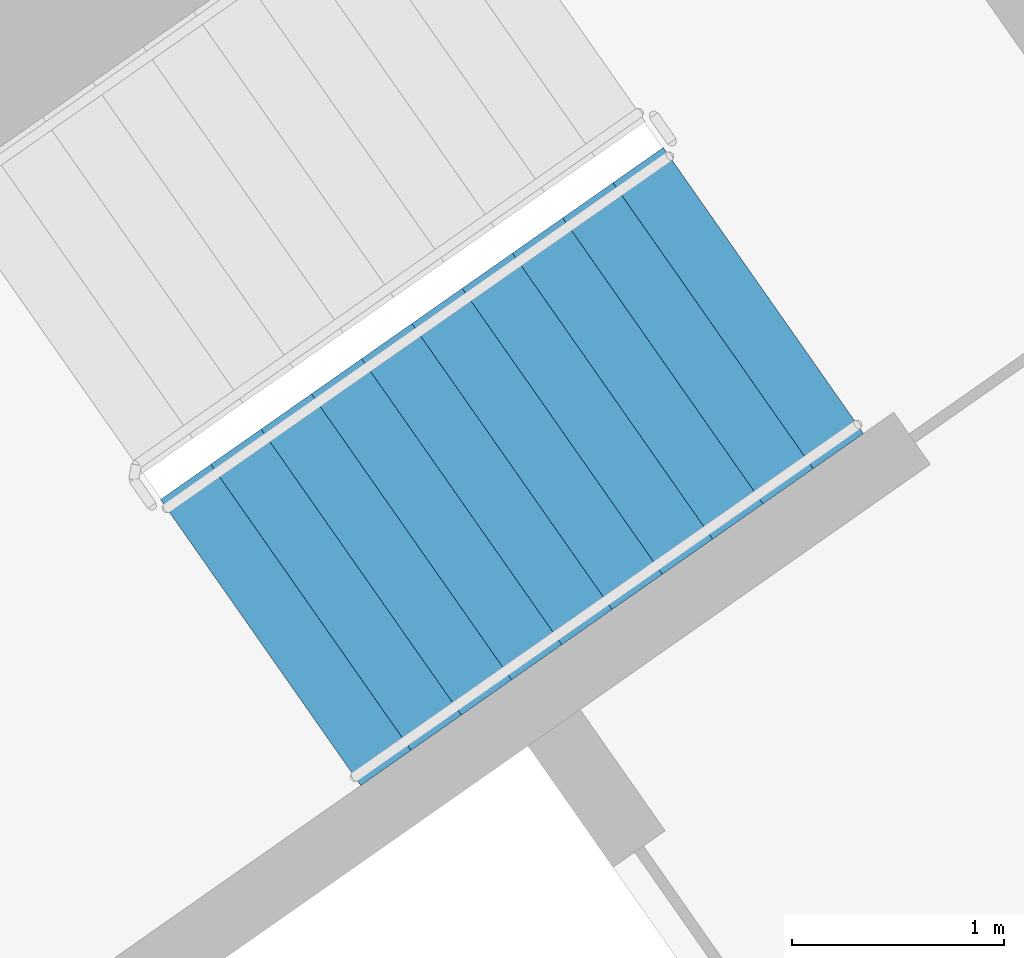
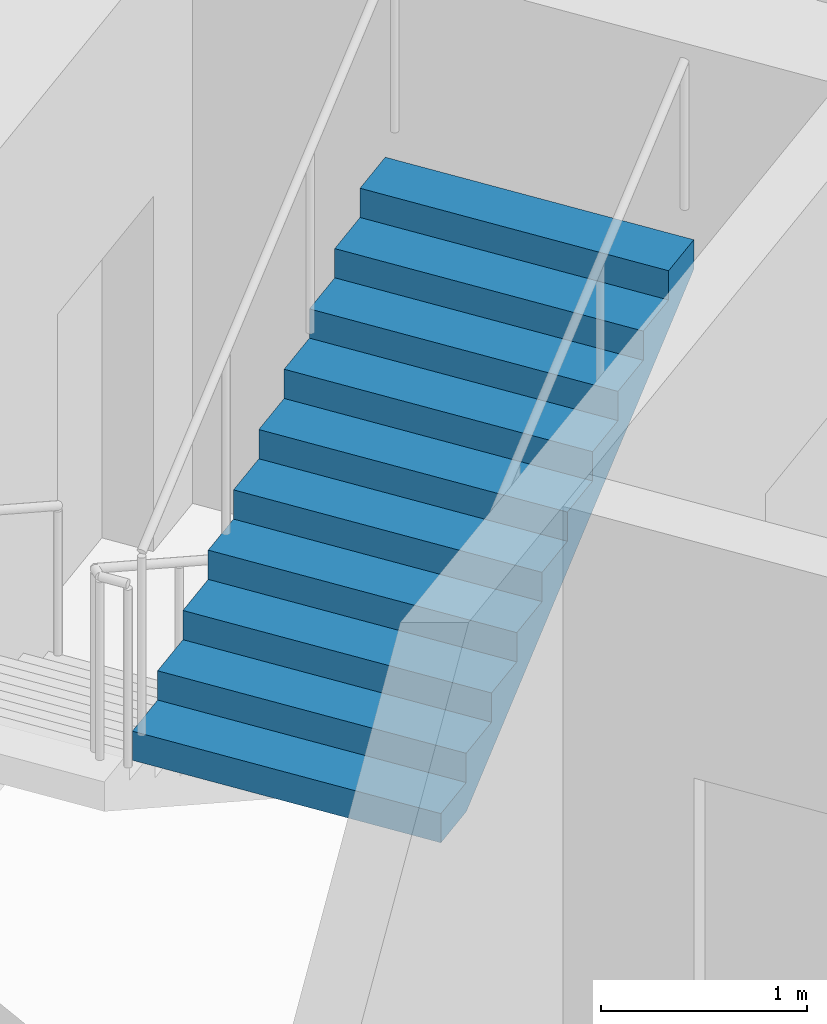
# One storey, part 16 of 27: 1 stair flight, 1 element without a shape of its own.
"""IFC4 building model written with IfcOpenShell, lengths in metres."""

from ifc_helpers import new_model, si_unit, direction, frame, origin, place, context, subcontext, project, spatial, faceted_brep, material, type_object, element, aggregate, save


model = new_model("IFC4")

# Units and contexts
model_context = context("Model", 3, precision=1e-05, world=origin(), true_north=direction((0.0, 1.0)))
body_context = subcontext(model_context, "Body", "Model", "MODEL_VIEW")
ifc_project = project(units=[si_unit("LENGTHUNIT", "METRE"), si_unit("AREAUNIT", "SQUARE_METRE"), si_unit("VOLUMEUNIT", "CUBIC_METRE"), si_unit("PLANEANGLEUNIT", "RADIAN"), si_unit("MASSUNIT", "GRAM", prefix="KILO")], contexts=[model_context])

# Site, building, storey
site_placement = place(None, origin())
site = spatial("IfcSite", under=ifc_project, at=site_placement, CompositionType="ELEMENT")
building_placement = place(site_placement, origin())
building = spatial("IfcBuilding", under=site, at=building_placement, Name="Qamariyya Broadcast Tower", CompositionType="ELEMENT")
storey_placement = place(building_placement, frame((0.0, 0.0, 175.89990234375)))
storey = spatial("IfcBuildingStorey", under=building, at=storey_placement, Name="L41", CompositionType="ELEMENT", Elevation=175.89990234375)

# Stair, stair flight
ifc_material = material(Name="Concrete C50/60", Category="concrete")
stair_type = type_object("IfcStairType", Name="Exit stair 22 risers of 173 mm", PredefinedType="HALF_TURN_STAIR", material=ifc_material)
stair_placement = place(storey_placement, origin())
stair = element("IfcStair", 1, at=stair_placement, inside=storey, type_object=stair_type, Name="L41 Stair E2", PredefinedType="HALF_TURN_STAIR")
stair_flight_type = type_object("IfcStairFlightType", Name="Exit stair flight 11 risers of 173 mm", PredefinedType="STRAIGHT", material=ifc_material)
stair_flight_placement = place(storey_placement, frame((39.215576171875, -50.822998046875, 1.900146484375), z_axis=(0.0, 0.0, 1.0), x_axis=(0.819152044289, 0.573576436351, 0.0)))
stair_flight = element("IfcStairFlight", 2, at=stair_flight_placement, type_object=stair_flight_type, Name="ST-E2 flight 2", NumberOfRisers=11, NumberOfTreads=10, PredefinedType="STRAIGHT", RiserHeight=0.172727273, TreadLength=0.29, context=body_context, shape_type="Brep", body=[
    faceted_brep([(0.0, 0.824951171875, 0.0), (0.0, 0.824951171875, 0.172607421875), (0.2900390625, 0.824951171875, 0.172607421875), (0.2900390625, 0.824951171875, 0.345458984375), (0.580078125, 0.824951171875, 0.345458984375), (0.580078125, 0.824951171875, 0.51806640625), (0.8701171875, 0.824951171875, 0.51806640625), (0.8701171875, 0.824951171875, 0.69091796875), (1.159912109375, 0.824951171875, 0.69091796875), (1.159912109375, 0.824951171875, 0.863525390625), (1.449951171875, 0.824951171875, 0.863525390625), (1.449951171875, 0.824951171875, 1.036376953125), (1.739990234375, 0.824951171875, 1.036376953125), (1.739990234375, 0.824951171875, 1.208984375), (2.030029296875, 0.824951171875, 1.208984375), (2.030029296875, 0.824951171875, 1.3818359375), (2.320068359375, 0.824951171875, 1.3818359375), (2.320068359375, 0.824951171875, 1.554443359375), (2.610107421875, 0.824951171875, 1.554443359375), (2.610107421875, 0.824951171875, 1.727294921875), (2.89990234375, 0.824951171875, 1.727294921875), (2.89990234375, 0.824951171875, 1.552734375), (0.29296875, 0.824951171875, 0.0), (0.29296875, -0.824951171875, 0.0), (2.89990234375, -0.824951171875, 1.552734375), (2.89990234375, -0.824951171875, 1.727294921875), (2.610107421875, -0.824951171875, 1.727294921875), (2.610107421875, -0.824951171875, 1.554443359375), (2.320068359375, -0.824951171875, 1.554443359375), (2.320068359375, -0.824951171875, 1.3818359375), (2.030029296875, -0.824951171875, 1.3818359375), (2.030029296875, -0.824951171875, 1.208984375), (1.739990234375, -0.824951171875, 1.208984375), (1.739990234375, -0.824951171875, 1.036376953125), (1.449951171875, -0.824951171875, 1.036376953125), (1.449951171875, -0.824951171875, 0.863525390625), (1.159912109375, -0.824951171875, 0.863525390625), (1.159912109375, -0.824951171875, 0.69091796875), (0.8701171875, -0.824951171875, 0.69091796875), (0.8701171875, -0.824951171875, 0.51806640625), (0.580078125, -0.824951171875, 0.51806640625), (0.580078125, -0.824951171875, 0.345458984375), (0.2900390625, -0.824951171875, 0.345458984375), (0.2900390625, -0.824951171875, 0.172607421875), (0.0, -0.824951171875, 0.172607421875), (0.0, -0.824951171875, 0.0), (0.0, 0.10009765625, 0.0), (0.0, 0.086669921875, 0.0), (0.0, 0.0732421875, 0.0), (0.0, 0.06005859375, 0.0), (0.0, 0.046630859375, 0.0), (0.0, 0.033447265625, 0.0), (0.0, 0.02001953125, 0.0), (0.0, 0.006591796875, 0.0), (0.0, -0.006591796875, 0.0), (0.0, -0.02001953125, 0.0), (0.0, -0.033447265625, 0.0), (0.0, -0.046630859375, 0.0), (0.0, -0.06005859375, 0.0), (0.0, -0.0732421875, 0.0), (0.0, -0.086669921875, 0.0), (0.0, -0.10009765625, 0.0), (0.0, -0.10009765625, 0.172607421875), (0.0, -0.086669921875, 0.172607421875), (0.0, -0.0732421875, 0.172607421875), (0.0, -0.06005859375, 0.172607421875), (0.0, -0.046630859375, 0.172607421875), (0.0, -0.033447265625, 0.172607421875), (0.0, -0.02001953125, 0.172607421875), (0.0, -0.006591796875, 0.172607421875), (0.0, 0.006591796875, 0.172607421875), (0.0, 0.02001953125, 0.172607421875), (0.0, 0.033447265625, 0.172607421875), (0.0, 0.046630859375, 0.172607421875), (0.0, 0.06005859375, 0.172607421875), (0.0, 0.0732421875, 0.172607421875), (0.0, 0.086669921875, 0.172607421875), (0.0, 0.10009765625, 0.172607421875), (0.2900390625, -0.10009765625, 0.172607421875), (0.2900390625, -0.086669921875, 0.172607421875), (0.2900390625, -0.0732421875, 0.172607421875), (0.2900390625, -0.06005859375, 0.172607421875), (0.2900390625, -0.046630859375, 0.172607421875), (0.2900390625, -0.033447265625, 0.172607421875), (0.2900390625, -0.02001953125, 0.172607421875), (0.2900390625, -0.006591796875, 0.172607421875), (0.2900390625, 0.006591796875, 0.172607421875), (0.2900390625, 0.02001953125, 0.172607421875), (0.2900390625, 0.033447265625, 0.172607421875), (0.2900390625, 0.046630859375, 0.172607421875), (0.2900390625, 0.06005859375, 0.172607421875), (0.2900390625, 0.0732421875, 0.172607421875), (0.2900390625, 0.086669921875, 0.172607421875), (0.2900390625, 0.10009765625, 0.172607421875), (0.2900390625, -0.10009765625, 0.345458984375), (0.2900390625, -0.086669921875, 0.345458984375), (0.2900390625, -0.0732421875, 0.345458984375), (0.2900390625, -0.06005859375, 0.345458984375), (0.2900390625, -0.046630859375, 0.345458984375), (0.2900390625, -0.033447265625, 0.345458984375), (0.2900390625, -0.02001953125, 0.345458984375), (0.2900390625, -0.006591796875, 0.345458984375), (0.2900390625, 0.006591796875, 0.345458984375), (0.2900390625, 0.02001953125, 0.345458984375), (0.2900390625, 0.033447265625, 0.345458984375), (0.2900390625, 0.046630859375, 0.345458984375), (0.2900390625, 0.06005859375, 0.345458984375), (0.2900390625, 0.0732421875, 0.345458984375), (0.2900390625, 0.086669921875, 0.345458984375), (0.2900390625, 0.10009765625, 0.345458984375), (0.580078125, -0.10009765625, 0.345458984375), (0.580078125, -0.086669921875, 0.345458984375), (0.580078125, -0.0732421875, 0.345458984375), (0.580078125, -0.06005859375, 0.345458984375), (0.580078125, -0.046630859375, 0.345458984375), (0.580078125, -0.033447265625, 0.345458984375), (0.580078125, -0.02001953125, 0.345458984375), (0.580078125, -0.006591796875, 0.345458984375), (0.580078125, 0.006591796875, 0.345458984375), (0.580078125, 0.02001953125, 0.345458984375), (0.580078125, 0.033447265625, 0.345458984375), (0.580078125, 0.046630859375, 0.345458984375), (0.580078125, 0.06005859375, 0.345458984375), (0.580078125, 0.0732421875, 0.345458984375), (0.580078125, 0.086669921875, 0.345458984375), (0.580078125, 0.10009765625, 0.345458984375), (0.580078125, -0.10009765625, 0.51806640625), (0.580078125, -0.086669921875, 0.51806640625), (0.580078125, -0.0732421875, 0.51806640625), (0.580078125, -0.06005859375, 0.51806640625), (0.580078125, -0.046630859375, 0.51806640625), (0.580078125, -0.033447265625, 0.51806640625), (0.580078125, -0.02001953125, 0.51806640625), (0.580078125, -0.006591796875, 0.51806640625), (0.580078125, 0.006591796875, 0.51806640625), (0.580078125, 0.02001953125, 0.51806640625), (0.580078125, 0.033447265625, 0.51806640625), (0.580078125, 0.046630859375, 0.51806640625), (0.580078125, 0.06005859375, 0.51806640625), (0.580078125, 0.0732421875, 0.51806640625), (0.580078125, 0.086669921875, 0.51806640625), (0.580078125, 0.10009765625, 0.51806640625), (0.8701171875, -0.10009765625, 0.51806640625), (0.8701171875, -0.086669921875, 0.51806640625), (0.8701171875, -0.0732421875, 0.51806640625), (0.8701171875, -0.06005859375, 0.51806640625), (0.8701171875, -0.046630859375, 0.51806640625), (0.8701171875, -0.033447265625, 0.51806640625), (0.8701171875, -0.02001953125, 0.51806640625), (0.8701171875, -0.006591796875, 0.51806640625), (0.8701171875, 0.006591796875, 0.51806640625), (0.8701171875, 0.02001953125, 0.51806640625), (0.8701171875, 0.033447265625, 0.51806640625), (0.8701171875, 0.046630859375, 0.51806640625), (0.8701171875, 0.06005859375, 0.51806640625), (0.8701171875, 0.0732421875, 0.51806640625), (0.8701171875, 0.086669921875, 0.51806640625), (0.8701171875, 0.10009765625, 0.51806640625), (0.8701171875, -0.10009765625, 0.69091796875), (0.8701171875, -0.086669921875, 0.69091796875), (0.8701171875, -0.0732421875, 0.69091796875), (0.8701171875, -0.06005859375, 0.69091796875), (0.8701171875, -0.046630859375, 0.69091796875), (0.8701171875, -0.033447265625, 0.69091796875), (0.8701171875, -0.02001953125, 0.69091796875), (0.8701171875, -0.006591796875, 0.69091796875), (0.8701171875, 0.006591796875, 0.69091796875), (0.8701171875, 0.02001953125, 0.69091796875), (0.8701171875, 0.033447265625, 0.69091796875), (0.8701171875, 0.046630859375, 0.69091796875), (0.8701171875, 0.06005859375, 0.69091796875), (0.8701171875, 0.0732421875, 0.69091796875), (0.8701171875, 0.086669921875, 0.69091796875), (0.8701171875, 0.10009765625, 0.69091796875), (1.159912109375, -0.10009765625, 0.69091796875), (1.159912109375, -0.086669921875, 0.69091796875), (1.159912109375, -0.0732421875, 0.69091796875), (1.159912109375, -0.06005859375, 0.69091796875), (1.159912109375, -0.046630859375, 0.69091796875), (1.159912109375, -0.033447265625, 0.69091796875), (1.159912109375, -0.02001953125, 0.69091796875), (1.159912109375, -0.006591796875, 0.69091796875), (1.159912109375, 0.006591796875, 0.69091796875), (1.159912109375, 0.02001953125, 0.69091796875), (1.159912109375, 0.033447265625, 0.69091796875), (1.159912109375, 0.046630859375, 0.69091796875), (1.159912109375, 0.06005859375, 0.69091796875), (1.159912109375, 0.0732421875, 0.69091796875), (1.159912109375, 0.086669921875, 0.69091796875), (1.159912109375, 0.10009765625, 0.69091796875), (1.159912109375, -0.10009765625, 0.863525390625), (1.159912109375, -0.086669921875, 0.863525390625), (1.159912109375, -0.0732421875, 0.863525390625), (1.159912109375, -0.06005859375, 0.863525390625), (1.159912109375, -0.046630859375, 0.863525390625), (1.159912109375, -0.033447265625, 0.863525390625), (1.159912109375, -0.02001953125, 0.863525390625), (1.159912109375, -0.006591796875, 0.863525390625), (1.159912109375, 0.006591796875, 0.863525390625), (1.159912109375, 0.02001953125, 0.863525390625), (1.159912109375, 0.033447265625, 0.863525390625), (1.159912109375, 0.046630859375, 0.863525390625), (1.159912109375, 0.06005859375, 0.863525390625), (1.159912109375, 0.0732421875, 0.863525390625), (1.159912109375, 0.086669921875, 0.863525390625), (1.159912109375, 0.10009765625, 0.863525390625), (1.449951171875, -0.10009765625, 0.863525390625), (1.449951171875, -0.086669921875, 0.863525390625), (1.449951171875, -0.0732421875, 0.863525390625), (1.449951171875, -0.06005859375, 0.863525390625), (1.449951171875, -0.046630859375, 0.863525390625), (1.449951171875, -0.033447265625, 0.863525390625), (1.449951171875, -0.02001953125, 0.863525390625), (1.449951171875, -0.006591796875, 0.863525390625), (1.449951171875, 0.006591796875, 0.863525390625), (1.449951171875, 0.02001953125, 0.863525390625), (1.449951171875, 0.033447265625, 0.863525390625), (1.449951171875, 0.046630859375, 0.863525390625), (1.449951171875, 0.06005859375, 0.863525390625), (1.449951171875, 0.0732421875, 0.863525390625), (1.449951171875, 0.086669921875, 0.863525390625), (1.449951171875, 0.10009765625, 0.863525390625), (1.449951171875, -0.10009765625, 1.036376953125), (1.449951171875, -0.086669921875, 1.036376953125), (1.449951171875, -0.0732421875, 1.036376953125), (1.449951171875, -0.06005859375, 1.036376953125), (1.449951171875, -0.046630859375, 1.036376953125), (1.449951171875, -0.033447265625, 1.036376953125), (1.449951171875, -0.02001953125, 1.036376953125), (1.449951171875, -0.006591796875, 1.036376953125), (1.449951171875, 0.006591796875, 1.036376953125), (1.449951171875, 0.02001953125, 1.036376953125), (1.449951171875, 0.033447265625, 1.036376953125), (1.449951171875, 0.046630859375, 1.036376953125), (1.449951171875, 0.06005859375, 1.036376953125), (1.449951171875, 0.0732421875, 1.036376953125), (1.449951171875, 0.086669921875, 1.036376953125), (1.449951171875, 0.10009765625, 1.036376953125), (1.739990234375, -0.10009765625, 1.036376953125), (1.739990234375, -0.086669921875, 1.036376953125), (1.739990234375, -0.0732421875, 1.036376953125), (1.739990234375, -0.06005859375, 1.036376953125), (1.739990234375, -0.046630859375, 1.036376953125), (1.739990234375, -0.033447265625, 1.036376953125), (1.739990234375, -0.02001953125, 1.036376953125), (1.739990234375, -0.006591796875, 1.036376953125), (1.739990234375, 0.006591796875, 1.036376953125), (1.739990234375, 0.02001953125, 1.036376953125), (1.739990234375, 0.033447265625, 1.036376953125), (1.739990234375, 0.046630859375, 1.036376953125), (1.739990234375, 0.06005859375, 1.036376953125), (1.739990234375, 0.0732421875, 1.036376953125), (1.739990234375, 0.086669921875, 1.036376953125), (1.739990234375, 0.10009765625, 1.036376953125), (1.739990234375, -0.10009765625, 1.208984375), (1.739990234375, -0.086669921875, 1.208984375), (1.739990234375, -0.0732421875, 1.208984375), (1.739990234375, -0.06005859375, 1.208984375), (1.739990234375, -0.046630859375, 1.208984375), (1.739990234375, -0.033447265625, 1.208984375), (1.739990234375, -0.02001953125, 1.208984375), (1.739990234375, -0.006591796875, 1.208984375), (1.739990234375, 0.006591796875, 1.208984375), (1.739990234375, 0.02001953125, 1.208984375), (1.739990234375, 0.033447265625, 1.208984375), (1.739990234375, 0.046630859375, 1.208984375), (1.739990234375, 0.06005859375, 1.208984375), (1.739990234375, 0.0732421875, 1.208984375), (1.739990234375, 0.086669921875, 1.208984375), (1.739990234375, 0.10009765625, 1.208984375), (2.030029296875, -0.10009765625, 1.208984375), (2.030029296875, -0.086669921875, 1.208984375), (2.030029296875, -0.0732421875, 1.208984375), (2.030029296875, -0.06005859375, 1.208984375), (2.030029296875, -0.046630859375, 1.208984375), (2.030029296875, -0.033447265625, 1.208984375), (2.030029296875, -0.02001953125, 1.208984375), (2.030029296875, -0.006591796875, 1.208984375), (2.030029296875, 0.006591796875, 1.208984375), (2.030029296875, 0.02001953125, 1.208984375), (2.030029296875, 0.033447265625, 1.208984375), (2.030029296875, 0.046630859375, 1.208984375), (2.030029296875, 0.06005859375, 1.208984375), (2.030029296875, 0.0732421875, 1.208984375), (2.030029296875, 0.086669921875, 1.208984375), (2.030029296875, 0.10009765625, 1.208984375), (2.030029296875, -0.10009765625, 1.3818359375), (2.030029296875, -0.086669921875, 1.3818359375), (2.030029296875, -0.0732421875, 1.3818359375), (2.030029296875, -0.06005859375, 1.3818359375), (2.030029296875, -0.046630859375, 1.3818359375), (2.030029296875, -0.033447265625, 1.3818359375), (2.030029296875, -0.02001953125, 1.3818359375), (2.030029296875, -0.006591796875, 1.3818359375), (2.030029296875, 0.006591796875, 1.3818359375), (2.030029296875, 0.02001953125, 1.3818359375), (2.030029296875, 0.033447265625, 1.3818359375), (2.030029296875, 0.046630859375, 1.3818359375), (2.030029296875, 0.06005859375, 1.3818359375), (2.030029296875, 0.0732421875, 1.3818359375), (2.030029296875, 0.086669921875, 1.3818359375), (2.030029296875, 0.10009765625, 1.3818359375), (2.320068359375, -0.10009765625, 1.3818359375), (2.320068359375, -0.086669921875, 1.3818359375), (2.320068359375, -0.0732421875, 1.3818359375), (2.320068359375, -0.06005859375, 1.3818359375), (2.320068359375, -0.046630859375, 1.3818359375), (2.320068359375, -0.033447265625, 1.3818359375), (2.320068359375, -0.02001953125, 1.3818359375), (2.320068359375, -0.006591796875, 1.3818359375), (2.320068359375, 0.006591796875, 1.3818359375), (2.320068359375, 0.02001953125, 1.3818359375), (2.320068359375, 0.033447265625, 1.3818359375), (2.320068359375, 0.046630859375, 1.3818359375), (2.320068359375, 0.06005859375, 1.3818359375), (2.320068359375, 0.0732421875, 1.3818359375), (2.320068359375, 0.086669921875, 1.3818359375), (2.320068359375, 0.10009765625, 1.3818359375), (2.320068359375, -0.10009765625, 1.554443359375), (2.320068359375, -0.086669921875, 1.554443359375), (2.320068359375, -0.0732421875, 1.554443359375), (2.320068359375, -0.06005859375, 1.554443359375), (2.320068359375, -0.046630859375, 1.554443359375), (2.320068359375, -0.033447265625, 1.554443359375), (2.320068359375, -0.02001953125, 1.554443359375), (2.320068359375, -0.006591796875, 1.554443359375), (2.320068359375, 0.006591796875, 1.554443359375), (2.320068359375, 0.02001953125, 1.554443359375), (2.320068359375, 0.033447265625, 1.554443359375), (2.320068359375, 0.046630859375, 1.554443359375), (2.320068359375, 0.06005859375, 1.554443359375), (2.320068359375, 0.0732421875, 1.554443359375), (2.320068359375, 0.086669921875, 1.554443359375), (2.320068359375, 0.10009765625, 1.554443359375), (2.610107421875, -0.10009765625, 1.554443359375), (2.610107421875, -0.086669921875, 1.554443359375), (2.610107421875, -0.0732421875, 1.554443359375), (2.610107421875, -0.06005859375, 1.554443359375), (2.610107421875, -0.046630859375, 1.554443359375), (2.610107421875, -0.033447265625, 1.554443359375), (2.610107421875, -0.02001953125, 1.554443359375), (2.610107421875, -0.006591796875, 1.554443359375), (2.610107421875, 0.006591796875, 1.554443359375), (2.610107421875, 0.02001953125, 1.554443359375), (2.610107421875, 0.033447265625, 1.554443359375), (2.610107421875, 0.046630859375, 1.554443359375), (2.610107421875, 0.06005859375, 1.554443359375), (2.610107421875, 0.0732421875, 1.554443359375), (2.610107421875, 0.086669921875, 1.554443359375), (2.610107421875, 0.10009765625, 1.554443359375), (2.610107421875, -0.10009765625, 1.727294921875), (2.610107421875, -0.086669921875, 1.727294921875), (2.610107421875, -0.0732421875, 1.727294921875), (2.610107421875, -0.06005859375, 1.727294921875), (2.610107421875, -0.046630859375, 1.727294921875), (2.610107421875, -0.033447265625, 1.727294921875), (2.610107421875, -0.02001953125, 1.727294921875), (2.610107421875, -0.006591796875, 1.727294921875), (2.610107421875, 0.006591796875, 1.727294921875), (2.610107421875, 0.02001953125, 1.727294921875), (2.610107421875, 0.033447265625, 1.727294921875), (2.610107421875, 0.046630859375, 1.727294921875), (2.610107421875, 0.06005859375, 1.727294921875), (2.610107421875, 0.0732421875, 1.727294921875), (2.610107421875, 0.086669921875, 1.727294921875), (2.610107421875, 0.10009765625, 1.727294921875), (2.89990234375, -0.10009765625, 1.727294921875), (2.89990234375, -0.086669921875, 1.727294921875), (2.89990234375, -0.0732421875, 1.727294921875), (2.89990234375, -0.06005859375, 1.727294921875), (2.89990234375, -0.046630859375, 1.727294921875), (2.89990234375, -0.033447265625, 1.727294921875), (2.89990234375, -0.02001953125, 1.727294921875), (2.89990234375, -0.006591796875, 1.727294921875), (2.89990234375, 0.006591796875, 1.727294921875), (2.89990234375, 0.02001953125, 1.727294921875), (2.89990234375, 0.033447265625, 1.727294921875), (2.89990234375, 0.046630859375, 1.727294921875), (2.89990234375, 0.06005859375, 1.727294921875), (2.89990234375, 0.0732421875, 1.727294921875), (2.89990234375, 0.086669921875, 1.727294921875), (2.89990234375, 0.10009765625, 1.727294921875), (2.89990234375, -0.10009765625, 1.552734375), (2.89990234375, -0.086669921875, 1.552734375), (2.89990234375, -0.0732421875, 1.552734375), (2.89990234375, -0.06005859375, 1.552734375), (2.89990234375, -0.046630859375, 1.552734375), (2.89990234375, -0.033447265625, 1.552734375), (2.89990234375, -0.02001953125, 1.552734375), (2.89990234375, -0.006591796875, 1.552734375), (2.89990234375, 0.006591796875, 1.552734375), (2.89990234375, 0.02001953125, 1.552734375), (2.89990234375, 0.033447265625, 1.552734375), (2.89990234375, 0.046630859375, 1.552734375), (2.89990234375, 0.06005859375, 1.552734375), (2.89990234375, 0.0732421875, 1.552734375), (2.89990234375, 0.086669921875, 1.552734375), (2.89990234375, 0.10009765625, 1.552734375), (0.29296875, -0.10009765625, 0.0), (0.29296875, -0.086669921875, 0.0), (0.29296875, -0.0732421875, 0.0), (0.29296875, -0.06005859375, 0.0), (0.29296875, -0.046630859375, 0.0), (0.29296875, -0.033447265625, 0.0), (0.29296875, -0.02001953125, 0.0), (0.29296875, -0.006591796875, 0.0), (0.29296875, 0.006591796875, 0.0), (0.29296875, 0.02001953125, 0.0), (0.29296875, 0.033447265625, 0.0), (0.29296875, 0.046630859375, 0.0), (0.29296875, 0.06005859375, 0.0), (0.29296875, 0.0732421875, 0.0), (0.29296875, 0.086669921875, 0.0), (0.29296875, 0.10009765625, 0.0)], [[[0, 1, 2, 3, 4, 5, 6, 7, 8, 9, 10, 11, 12, 13, 14, 15, 16, 17, 18, 19, 20, 21, 22]], [[23, 24, 25, 26, 27, 28, 29, 30, 31, 32, 33, 34, 35, 36, 37, 38, 39, 40, 41, 42, 43, 44, 45]], [[0, 46, 47, 48, 49, 50, 51, 52, 53, 54, 55, 56, 57, 58, 59, 60, 61, 45, 44, 62, 63, 64, 65, 66, 67, 68, 69, 70, 71, 72, 73, 74, 75, 76, 77, 1]], [[1, 77, 76, 75, 74, 73, 72, 71, 70, 69, 68, 67, 66, 65, 64, 63, 62, 44, 43, 78, 79, 80, 81, 82, 83, 84, 85, 86, 87, 88, 89, 90, 91, 92, 93, 2]], [[2, 93, 92, 91, 90, 89, 88, 87, 86, 85, 84, 83, 82, 81, 80, 79, 78, 43, 42, 94, 95, 96, 97, 98, 99, 100, 101, 102, 103, 104, 105, 106, 107, 108, 109, 3]], [[3, 109, 108, 107, 106, 105, 104, 103, 102, 101, 100, 99, 98, 97, 96, 95, 94, 42, 41, 110, 111, 112, 113, 114, 115, 116, 117, 118, 119, 120, 121, 122, 123, 124, 125, 4]], [[4, 125, 124, 123, 122, 121, 120, 119, 118, 117, 116, 115, 114, 113, 112, 111, 110, 41, 40, 126, 127, 128, 129, 130, 131, 132, 133, 134, 135, 136, 137, 138, 139, 140, 141, 5]], [[5, 141, 140, 139, 138, 137, 136, 135, 134, 133, 132, 131, 130, 129, 128, 127, 126, 40, 39, 142, 143, 144, 145, 146, 147, 148, 149, 150, 151, 152, 153, 154, 155, 156, 157, 6]], [[6, 157, 156, 155, 154, 153, 152, 151, 150, 149, 148, 147, 146, 145, 144, 143, 142, 39, 38, 158, 159, 160, 161, 162, 163, 164, 165, 166, 167, 168, 169, 170, 171, 172, 173, 7]], [[7, 173, 172, 171, 170, 169, 168, 167, 166, 165, 164, 163, 162, 161, 160, 159, 158, 38, 37, 174, 175, 176, 177, 178, 179, 180, 181, 182, 183, 184, 185, 186, 187, 188, 189, 8]], [[8, 189, 188, 187, 186, 185, 184, 183, 182, 181, 180, 179, 178, 177, 176, 175, 174, 37, 36, 190, 191, 192, 193, 194, 195, 196, 197, 198, 199, 200, 201, 202, 203, 204, 205, 9]], [[9, 205, 204, 203, 202, 201, 200, 199, 198, 197, 196, 195, 194, 193, 192, 191, 190, 36, 35, 206, 207, 208, 209, 210, 211, 212, 213, 214, 215, 216, 217, 218, 219, 220, 221, 10]], [[10, 221, 220, 219, 218, 217, 216, 215, 214, 213, 212, 211, 210, 209, 208, 207, 206, 35, 34, 222, 223, 224, 225, 226, 227, 228, 229, 230, 231, 232, 233, 234, 235, 236, 237, 11]], [[11, 237, 236, 235, 234, 233, 232, 231, 230, 229, 228, 227, 226, 225, 224, 223, 222, 34, 33, 238, 239, 240, 241, 242, 243, 244, 245, 246, 247, 248, 249, 250, 251, 252, 253, 12]], [[12, 253, 252, 251, 250, 249, 248, 247, 246, 245, 244, 243, 242, 241, 240, 239, 238, 33, 32, 254, 255, 256, 257, 258, 259, 260, 261, 262, 263, 264, 265, 266, 267, 268, 269, 13]], [[13, 269, 268, 267, 266, 265, 264, 263, 262, 261, 260, 259, 258, 257, 256, 255, 254, 32, 31, 270, 271, 272, 273, 274, 275, 276, 277, 278, 279, 280, 281, 282, 283, 284, 285, 14]], [[14, 285, 284, 283, 282, 281, 280, 279, 278, 277, 276, 275, 274, 273, 272, 271, 270, 31, 30, 286, 287, 288, 289, 290, 291, 292, 293, 294, 295, 296, 297, 298, 299, 300, 301, 15]], [[15, 301, 300, 299, 298, 297, 296, 295, 294, 293, 292, 291, 290, 289, 288, 287, 286, 30, 29, 302, 303, 304, 305, 306, 307, 308, 309, 310, 311, 312, 313, 314, 315, 316, 317, 16]], [[16, 317, 316, 315, 314, 313, 312, 311, 310, 309, 308, 307, 306, 305, 304, 303, 302, 29, 28, 318, 319, 320, 321, 322, 323, 324, 325, 326, 327, 328, 329, 330, 331, 332, 333, 17]], [[17, 333, 332, 331, 330, 329, 328, 327, 326, 325, 324, 323, 322, 321, 320, 319, 318, 28, 27, 334, 335, 336, 337, 338, 339, 340, 341, 342, 343, 344, 345, 346, 347, 348, 349, 18]], [[18, 349, 348, 347, 346, 345, 344, 343, 342, 341, 340, 339, 338, 337, 336, 335, 334, 27, 26, 350, 351, 352, 353, 354, 355, 356, 357, 358, 359, 360, 361, 362, 363, 364, 365, 19]], [[19, 365, 364, 363, 362, 361, 360, 359, 358, 357, 356, 355, 354, 353, 352, 351, 350, 26, 25, 366, 367, 368, 369, 370, 371, 372, 373, 374, 375, 376, 377, 378, 379, 380, 381, 20]], [[20, 381, 380, 379, 378, 377, 376, 375, 374, 373, 372, 371, 370, 369, 368, 367, 366, 25, 24, 382, 383, 384, 385, 386, 387, 388, 389, 390, 391, 392, 393, 394, 395, 396, 397, 21]], [[21, 397, 396, 395, 394, 393, 392, 391, 390, 389, 388, 387, 386, 385, 384, 383, 382, 24, 23, 398, 399, 400, 401, 402, 403, 404, 405, 406, 407, 408, 409, 410, 411, 412, 413, 22]], [[22, 413, 412, 411, 410, 409, 408, 407, 406, 405, 404, 403, 402, 401, 400, 399, 398, 23, 45, 61, 60, 59, 58, 57, 56, 55, 54, 53, 52, 51, 50, 49, 48, 47, 46, 0]]]),
])
aggregate(stair, [stair_flight])

save(model, "model.ifc")
